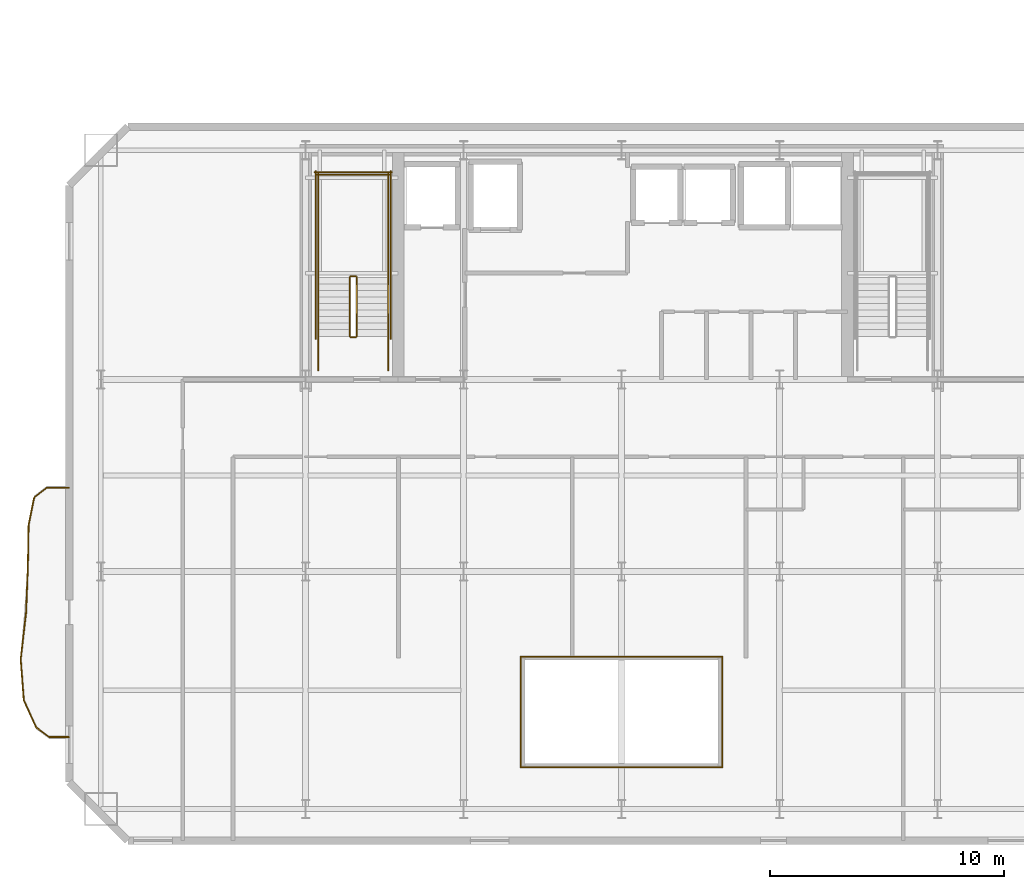
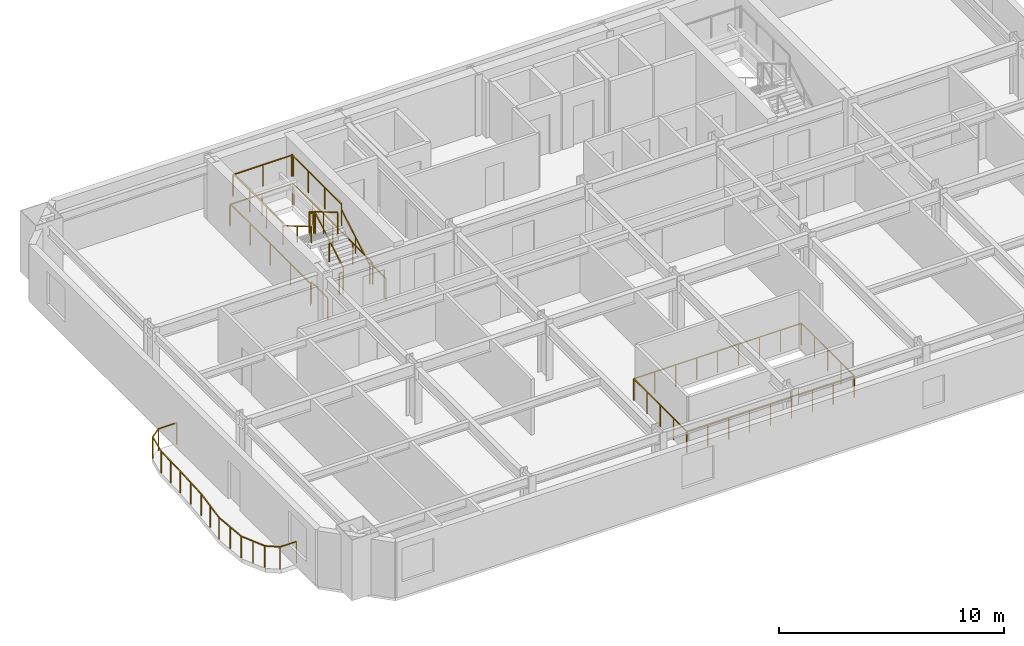
# One storey, part 10 of 13: 28 railings.
"""IFC4 building model written with IfcOpenShell, lengths in metres."""

from ifc_helpers import new_model, si_unit, direction, frame, origin, origin_2d, place, context, subcontext, project, spatial, rectangle, extrude, material, type_object, element, save


model = new_model("IFC4")

# Units and contexts
model_context = context("Model", 3, precision=1e-05, world=origin(), true_north=direction((0.0, 1.0)))
body_context = subcontext(model_context, "Body", "Model", "MODEL_VIEW")
ifc_project = project(units=[si_unit("LENGTHUNIT", "METRE"), si_unit("AREAUNIT", "SQUARE_METRE"), si_unit("VOLUMEUNIT", "CUBIC_METRE"), si_unit("PLANEANGLEUNIT", "RADIAN"), si_unit("MASSUNIT", "GRAM", prefix="KILO")], contexts=[model_context])

# Site, building, storey
site_placement = place(None, origin())
site = spatial("IfcSite", under=ifc_project, at=site_placement, CompositionType="ELEMENT")
building_placement = place(site_placement, origin())
building = spatial("IfcBuilding", under=site, at=building_placement, Name="Haevon Station Towers", CompositionType="ELEMENT")
storey_placement = place(building_placement, frame((0.0, 0.0, 96.60009765625)))
storey = spatial("IfcBuildingStorey", under=building, at=storey_placement, Name="L25", CompositionType="ELEMENT", Elevation=96.60009765625)

# Railings
ifc_material = material(Name="Steel S355", Category="steel")
railing_type_1 = type_object("IfcRailingType", Name="BAL-ATR1200", PredefinedType="BALUSTRADE", material=ifc_material)
railing_1_placement = place(storey_placement, frame((33.19482421875, 21.642333984375, 0.0)))
element("IfcRailing", 1, at=railing_1_placement, inside=storey, type_object=railing_type_1, Name="L25 Atrium Void Balustrade 1", PredefinedType="BALUSTRADE", context=body_context, shape_type="SweptSolid", body=[
    extrude(rectangle(XDim=0.048095703125, YDim=0.048095703125, at=origin_2d()), frame((0.0, 0.0, 1.17578125), z_axis=(1.0, 0.0, 0.0), x_axis=(0.0, 1.0, 0.0)), (0.0, 0.0, 1.0), 8.6103515625),
    extrude(rectangle(XDim=0.0419921875, YDim=0.0419921875, at=origin_2d()), origin(), (0.0, 0.0, 1.0), 1.15185546875),
    extrude(rectangle(XDim=0.0419921875, YDim=0.0419921875, at=origin_2d()), frame((1.076171875, 0.0, 0.0)), (0.0, 0.0, 1.0), 1.15185546875),
    extrude(rectangle(XDim=0.0419921875, YDim=0.0419921875, at=origin_2d()), frame((2.152587890625, 0.0, 0.0)), (0.0, 0.0, 1.0), 1.15185546875),
    extrude(rectangle(XDim=0.0419921875, YDim=0.0419921875, at=origin_2d()), frame((3.22900390625, 0.0, 0.0)), (0.0, 0.0, 1.0), 1.15185546875),
    extrude(rectangle(XDim=0.0419921875, YDim=0.0419921875, at=origin_2d()), frame((4.30517578125, 0.0, 0.0)), (0.0, 0.0, 1.0), 1.15185546875),
    extrude(rectangle(XDim=0.0419921875, YDim=0.0419921875, at=origin_2d()), frame((5.38134765625, 0.0, 0.0)), (0.0, 0.0, 1.0), 1.15185546875),
    extrude(rectangle(XDim=0.0419921875, YDim=0.0419921875, at=origin_2d()), frame((6.457763671875, 0.0, 0.0)), (0.0, 0.0, 1.0), 1.15185546875),
    extrude(rectangle(XDim=0.0419921875, YDim=0.0419921875, at=origin_2d()), frame((7.5341796875, 0.0, 0.0)), (0.0, 0.0, 1.0), 1.15185546875),
    extrude(rectangle(XDim=0.0419921875, YDim=0.0419921875, at=origin_2d()), frame((8.6103515625, 0.0, 0.0)), (0.0, 0.0, 1.0), 1.15185546875),
])
railing_2_placement = place(storey_placement, frame((41.80517578125, 21.642333984375, 0.0)))
element("IfcRailing", 2, at=railing_2_placement, inside=storey, type_object=railing_type_1, Name="L25 Atrium Void Balustrade 2", PredefinedType="BALUSTRADE", context=body_context, shape_type="SweptSolid", body=[
    extrude(rectangle(XDim=0.048095703125, YDim=0.048095703125, at=origin_2d()), frame((0.0, 0.0, 1.17578125), z_axis=(0.0, 1.0, 0.0), x_axis=(-1.0, 0.0, 0.0)), (0.0, 0.0, 1.0), 4.71533203125),
    extrude(rectangle(XDim=0.0419921875, YDim=0.0419921875, at=origin_2d()), origin(), (0.0, 0.0, 1.0), 1.15185546875),
    extrude(rectangle(XDim=0.0419921875, YDim=0.0419921875, at=origin_2d()), frame((0.0, 1.1787109375, 0.0)), (0.0, 0.0, 1.0), 1.15185546875),
    extrude(rectangle(XDim=0.0419921875, YDim=0.0419921875, at=origin_2d()), frame((0.0, 2.357666015625, 0.0)), (0.0, 0.0, 1.0), 1.15185546875),
    extrude(rectangle(XDim=0.0419921875, YDim=0.0419921875, at=origin_2d()), frame((0.0, 3.53662109375, 0.0)), (0.0, 0.0, 1.0), 1.15185546875),
    extrude(rectangle(XDim=0.0419921875, YDim=0.0419921875, at=origin_2d()), frame((0.0, 4.71533203125, 0.0)), (0.0, 0.0, 1.0), 1.15185546875),
])
railing_3_placement = place(storey_placement, frame((41.80517578125, 26.357666015625, 0.0)))
element("IfcRailing", 3, at=railing_3_placement, inside=storey, type_object=railing_type_1, Name="L25 Atrium Void Balustrade 3", PredefinedType="BALUSTRADE", context=body_context, shape_type="SweptSolid", body=[
    extrude(rectangle(XDim=0.048095703125, YDim=0.048095703125, at=origin_2d()), frame((0.0, 0.0, 1.17578125), z_axis=(-1.0, 0.0, 0.0), x_axis=(0.0, -1.0, 0.0)), (0.0, 0.0, 1.0), 8.6103515625),
    extrude(rectangle(XDim=0.0419921875, YDim=0.0419921875, at=origin_2d()), origin(), (0.0, 0.0, 1.0), 1.15185546875),
    extrude(rectangle(XDim=0.0419921875, YDim=0.0419921875, at=origin_2d()), frame((-1.076171875, 0.0, 0.0)), (0.0, 0.0, 1.0), 1.15185546875),
    extrude(rectangle(XDim=0.0419921875, YDim=0.0419921875, at=origin_2d()), frame((-2.152587890625, 0.0, 0.0)), (0.0, 0.0, 1.0), 1.15185546875),
    extrude(rectangle(XDim=0.0419921875, YDim=0.0419921875, at=origin_2d()), frame((-3.22900390625, 0.0, 0.0)), (0.0, 0.0, 1.0), 1.15185546875),
    extrude(rectangle(XDim=0.0419921875, YDim=0.0419921875, at=origin_2d()), frame((-4.30517578125, 0.0, 0.0)), (0.0, 0.0, 1.0), 1.15185546875),
    extrude(rectangle(XDim=0.0419921875, YDim=0.0419921875, at=origin_2d()), frame((-5.38134765625, 0.0, 0.0)), (0.0, 0.0, 1.0), 1.15185546875),
    extrude(rectangle(XDim=0.0419921875, YDim=0.0419921875, at=origin_2d()), frame((-6.457763671875, 0.0, 0.0)), (0.0, 0.0, 1.0), 1.15185546875),
    extrude(rectangle(XDim=0.0419921875, YDim=0.0419921875, at=origin_2d()), frame((-7.5341796875, 0.0, 0.0)), (0.0, 0.0, 1.0), 1.15185546875),
    extrude(rectangle(XDim=0.0419921875, YDim=0.0419921875, at=origin_2d()), frame((-8.6103515625, 0.0, 0.0)), (0.0, 0.0, 1.0), 1.15185546875),
])
railing_4_placement = place(storey_placement, frame((33.19482421875, 26.357666015625, 0.0)))
element("IfcRailing", 4, at=railing_4_placement, inside=storey, type_object=railing_type_1, Name="L25 Atrium Void Balustrade 4", PredefinedType="BALUSTRADE", context=body_context, shape_type="SweptSolid", body=[
    extrude(rectangle(XDim=0.048095703125, YDim=0.048095703125, at=origin_2d()), frame((0.0, 0.0, 1.17578125), z_axis=(0.0, -1.0, 0.0), x_axis=(1.0, 0.0, 0.0)), (0.0, 0.0, 1.0), 4.71533203125),
    extrude(rectangle(XDim=0.0419921875, YDim=0.0419921875, at=origin_2d()), origin(), (0.0, 0.0, 1.0), 1.15185546875),
    extrude(rectangle(XDim=0.0419921875, YDim=0.0419921875, at=origin_2d()), frame((0.0, -1.1787109375, 0.0)), (0.0, 0.0, 1.0), 1.15185546875),
    extrude(rectangle(XDim=0.0419921875, YDim=0.0419921875, at=origin_2d()), frame((0.0, -2.357666015625, 0.0)), (0.0, 0.0, 1.0), 1.15185546875),
    extrude(rectangle(XDim=0.0419921875, YDim=0.0419921875, at=origin_2d()), frame((0.0, -3.53662109375, 0.0)), (0.0, 0.0, 1.0), 1.15185546875),
    extrude(rectangle(XDim=0.0419921875, YDim=0.0419921875, at=origin_2d()), frame((0.0, -4.71533203125, 0.0)), (0.0, 0.0, 1.0), 1.15185546875),
])
railing_type_2 = type_object("IfcRailingType", Name="GRD-EXT1200", PredefinedType="GUARDRAIL", material=ifc_material)
railing_5_placement = place(storey_placement, frame((13.87646484375, 33.572265625, 0.0)))
element("IfcRailing", 5, at=railing_5_placement, inside=storey, type_object=railing_type_2, Name="L25 Perimeter Guardrail 1", PredefinedType="GUARDRAIL", context=body_context, shape_type="SweptSolid", body=[
    extrude(rectangle(XDim=0.048095703125, YDim=0.048095703125, at=origin_2d()), frame((0.0, 0.0, 1.17578125), z_axis=(-0.999997290248, -0.002327981276, 0.0), x_axis=(0.002327981276, -0.999997290248, 0.0)), (0.0, 0.0, 1.0), 0.94384765625),
    extrude(rectangle(XDim=0.0419921875, YDim=0.0419921875, at=origin_2d()), origin(), (0.0, 0.0, 1.0), 1.15185546875),
    extrude(rectangle(XDim=0.0419921875, YDim=0.0419921875, at=origin_2d()), frame((-0.94384765625, -0.002197265625, 0.0)), (0.0, 0.0, 1.0), 1.15185546875),
])
railing_6_placement = place(storey_placement, frame((12.9326171875, 33.570068359375, 0.0)))
element("IfcRailing", 6, at=railing_6_placement, inside=storey, type_object=railing_type_2, Name="L25 Perimeter Guardrail 2", PredefinedType="GUARDRAIL", context=body_context, shape_type="SweptSolid", body=[
    extrude(rectangle(XDim=0.048095703125, YDim=0.048095703125, at=origin_2d()), frame((0.0, 0.0, 1.17578125), z_axis=(-0.79178726734, -0.61079695749, 0.0), x_axis=(0.61079695749, -0.79178726734, 0.0)), (0.0, 0.0, 1.0), 0.673095703125),
    extrude(rectangle(XDim=0.0419921875, YDim=0.0419921875, at=origin_2d()), origin(), (0.0, 0.0, 1.0), 1.15185546875),
    extrude(rectangle(XDim=0.0419921875, YDim=0.0419921875, at=origin_2d()), frame((-0.532958984375, -0.4111328125, 0.0)), (0.0, 0.0, 1.0), 1.15185546875),
])
railing_7_placement = place(storey_placement, frame((12.399658203125, 33.158935546875, 0.0)))
element("IfcRailing", 7, at=railing_7_placement, inside=storey, type_object=railing_type_2, Name="L25 Perimeter Guardrail 3", PredefinedType="GUARDRAIL", context=body_context, shape_type="SweptSolid", body=[
    extrude(rectangle(XDim=0.048095703125, YDim=0.048095703125, at=origin_2d()), frame((0.0, 0.0, 1.17578125), z_axis=(-0.199771721582, -0.979842466551, 0.0), x_axis=(0.979842466551, -0.199771721582, 0.0)), (0.0, 0.0, 1.0), 1.194091796875),
    extrude(rectangle(XDim=0.0419921875, YDim=0.0419921875, at=origin_2d()), origin(), (0.0, 0.0, 1.0), 1.15185546875),
    extrude(rectangle(XDim=0.0419921875, YDim=0.0419921875, at=origin_2d()), frame((-0.238525390625, -1.169921875, 0.0)), (0.0, 0.0, 1.0), 1.15185546875),
])
railing_8_placement = place(storey_placement, frame((12.1611328125, 31.989013671875, 0.0)))
element("IfcRailing", 8, at=railing_8_placement, inside=storey, type_object=railing_type_2, Name="L25 Perimeter Guardrail 4", PredefinedType="GUARDRAIL", context=body_context, shape_type="SweptSolid", body=[
    extrude(rectangle(XDim=0.048095703125, YDim=0.048095703125, at=origin_2d()), frame((0.0, 0.0, 1.17578125), z_axis=(-0.017572959065, -0.999845583633, 0.0), x_axis=(0.999845583633, -0.017572959065, 0.0)), (0.0, 0.0, 1.0), 1.75048828125),
    extrude(rectangle(XDim=0.0419921875, YDim=0.0419921875, at=origin_2d()), origin(), (0.0, 0.0, 1.0), 1.15185546875),
    extrude(rectangle(XDim=0.0419921875, YDim=0.0419921875, at=origin_2d()), frame((-0.015380859375, -0.875, 0.0)), (0.0, 0.0, 1.0), 1.15185546875),
    extrude(rectangle(XDim=0.0419921875, YDim=0.0419921875, at=origin_2d()), frame((-0.03076171875, -1.750244140625, 0.0)), (0.0, 0.0, 1.0), 1.15185546875),
])
railing_9_placement = place(storey_placement, frame((12.13037109375, 30.23876953125, 0.0)))
element("IfcRailing", 9, at=railing_9_placement, inside=storey, type_object=railing_type_2, Name="L25 Perimeter Guardrail 5", PredefinedType="GUARDRAIL", context=body_context, shape_type="SweptSolid", body=[
    extrude(rectangle(XDim=0.048095703125, YDim=0.048095703125, at=origin_2d()), frame((0.0, 0.0, 1.17578125), z_axis=(-0.038150453475, -0.999272006463, 0.0), x_axis=(0.999272006463, -0.038150453475, 0.0)), (0.0, 0.0, 1.0), 1.990234375),
    extrude(rectangle(XDim=0.0419921875, YDim=0.0419921875, at=origin_2d()), origin(), (0.0, 0.0, 1.0), 1.15185546875),
    extrude(rectangle(XDim=0.0419921875, YDim=0.0419921875, at=origin_2d()), frame((-0.0380859375, -0.994384765625, 0.0)), (0.0, 0.0, 1.0), 1.15185546875),
    extrude(rectangle(XDim=0.0419921875, YDim=0.0419921875, at=origin_2d()), frame((-0.075927734375, -1.98876953125, 0.0)), (0.0, 0.0, 1.0), 1.15185546875),
])
railing_10_placement = place(storey_placement, frame((12.054443359375, 28.25, 0.0)))
element("IfcRailing", 10, at=railing_10_placement, inside=storey, type_object=railing_type_2, Name="L25 Perimeter Guardrail 6", PredefinedType="GUARDRAIL", context=body_context, shape_type="SweptSolid", body=[
    extrude(rectangle(XDim=0.048095703125, YDim=0.048095703125, at=origin_2d()), frame((0.0, 0.0, 1.17578125), z_axis=(-0.114933725314, -0.993373161901, 0.0), x_axis=(0.993373161901, -0.114933725314, 0.0)), (0.0, 0.0, 1.0), 2.005126953125),
    extrude(rectangle(XDim=0.0419921875, YDim=0.0419921875, at=origin_2d()), origin(), (0.0, 0.0, 1.0), 1.15185546875),
    extrude(rectangle(XDim=0.0419921875, YDim=0.0419921875, at=origin_2d()), frame((-0.115234375, -0.99609375, 0.0)), (0.0, 0.0, 1.0), 1.15185546875),
    extrude(rectangle(XDim=0.0419921875, YDim=0.0419921875, at=origin_2d()), frame((-0.23046875, -1.991943359375, 0.0)), (0.0, 0.0, 1.0), 1.15185546875),
])
railing_11_placement = place(storey_placement, frame((11.823974609375, 26.258056640625, 0.0)))
element("IfcRailing", 11, at=railing_11_placement, inside=storey, type_object=railing_type_2, Name="L25 Perimeter Guardrail 7", PredefinedType="GUARDRAIL", context=body_context, shape_type="SweptSolid", body=[
    extrude(rectangle(XDim=0.048095703125, YDim=0.048095703125, at=origin_2d()), frame((0.0, 0.0, 1.17578125), z_axis=(0.074672193364, -0.997208134513, 0.0), x_axis=(0.997208134513, 0.074672193364, 0.0)), (0.0, 0.0, 1.0), 1.75244140625),
    extrude(rectangle(XDim=0.0419921875, YDim=0.0419921875, at=origin_2d()), origin(), (0.0, 0.0, 1.0), 1.15185546875),
    extrude(rectangle(XDim=0.0419921875, YDim=0.0419921875, at=origin_2d()), frame((0.0654296875, -0.873779296875, 0.0)), (0.0, 0.0, 1.0), 1.15185546875),
    extrude(rectangle(XDim=0.0419921875, YDim=0.0419921875, at=origin_2d()), frame((0.130859375, -1.74755859375, 0.0)), (0.0, 0.0, 1.0), 1.15185546875),
])
railing_12_placement = place(storey_placement, frame((11.954833984375, 24.510498046875, 0.0)))
element("IfcRailing", 12, at=railing_12_placement, inside=storey, type_object=railing_type_2, Name="L25 Perimeter Guardrail 8", PredefinedType="GUARDRAIL", context=body_context, shape_type="SweptSolid", body=[
    extrude(rectangle(XDim=0.048095703125, YDim=0.048095703125, at=origin_2d()), frame((0.0, 0.0, 1.17578125), z_axis=(0.413759985139, -0.910386003131, 0.0), x_axis=(0.910386003131, 0.413759985139, 0.0)), (0.0, 0.0, 1.0), 1.28466796875),
    extrude(rectangle(XDim=0.0419921875, YDim=0.0419921875, at=origin_2d()), origin(), (0.0, 0.0, 1.0), 1.15185546875),
    extrude(rectangle(XDim=0.0419921875, YDim=0.0419921875, at=origin_2d()), frame((0.265625, -0.584716796875, 0.0)), (0.0, 0.0, 1.0), 1.15185546875),
    extrude(rectangle(XDim=0.0419921875, YDim=0.0419921875, at=origin_2d()), frame((0.531494140625, -1.16943359375, 0.0)), (0.0, 0.0, 1.0), 1.15185546875),
])
railing_13_placement = place(storey_placement, frame((12.486328125, 23.341064453125, 0.0)))
element("IfcRailing", 13, at=railing_13_placement, inside=storey, type_object=railing_type_2, Name="L25 Perimeter Guardrail 9", PredefinedType="GUARDRAIL", context=body_context, shape_type="SweptSolid", body=[
    extrude(rectangle(XDim=0.048095703125, YDim=0.048095703125, at=origin_2d()), frame((0.0, 0.0, 1.17578125), z_axis=(0.801952764523, -0.597387448374, 0.0), x_axis=(0.597387448374, 0.801952764523, 0.0)), (0.0, 0.0, 1.0), 0.688720703125),
    extrude(rectangle(XDim=0.0419921875, YDim=0.0419921875, at=origin_2d()), origin(), (0.0, 0.0, 1.0), 1.15185546875),
    extrude(rectangle(XDim=0.0419921875, YDim=0.0419921875, at=origin_2d()), frame((0.55224609375, -0.411376953125, 0.0)), (0.0, 0.0, 1.0), 1.15185546875),
])
railing_14_placement = place(storey_placement, frame((13.03857421875, 22.9296875, 0.0)))
element("IfcRailing", 14, at=railing_14_placement, inside=storey, type_object=railing_type_2, Name="L25 Perimeter Guardrail 10", PredefinedType="GUARDRAIL", context=body_context, shape_type="SweptSolid", body=[
    extrude(rectangle(XDim=0.048095703125, YDim=0.048095703125, at=origin_2d()), frame((0.0, 0.0, 1.17578125), z_axis=(0.999997283225, -0.002330995998, 0.0), x_axis=(0.002330995998, 0.999997283225, 0.0)), (0.0, 0.0, 1.0), 0.837890625),
    extrude(rectangle(XDim=0.0419921875, YDim=0.0419921875, at=origin_2d()), origin(), (0.0, 0.0, 1.0), 1.15185546875),
    extrude(rectangle(XDim=0.0419921875, YDim=0.0419921875, at=origin_2d()), frame((0.837890625, -0.001953125, 0.0)), (0.0, 0.0, 1.0), 1.15185546875),
])
railing_type_3 = type_object("IfcRailingType", Name="GRD-STR1200", PredefinedType="GUARDRAIL", material=ifc_material)
railing_15_placement = place(storey_placement, frame((26.179931640625, 40.050048828125, 0.164794921875)))
element("IfcRailing", 15, at=railing_15_placement, inside=storey, type_object=railing_type_3, Name="L25 ST1 Stair Guard 1", PredefinedType="GUARDRAIL", context=body_context, shape_type="SweptSolid", body=[
    extrude(rectangle(XDim=0.048095703125, YDim=0.048095703125, at=origin_2d()), frame((0.0, 0.0, 1.17578125), z_axis=(0.0, 0.86152411907, 0.507716645641), x_axis=(-1.0, 0.0, 0.0)), (0.0, 0.0, 1.0), 2.925048828125),
    extrude(rectangle(XDim=0.0419921875, YDim=0.0419921875, at=origin_2d()), origin(), (0.0, 0.0, 1.0), 1.15185546875),
    extrude(rectangle(XDim=0.0419921875, YDim=0.0419921875, at=origin_2d()), frame((0.0, 1.260009765625, 0.74267578125)), (0.0, 0.0, 1.0), 1.15185546875),
    extrude(rectangle(XDim=0.0419921875, YDim=0.0419921875, at=origin_2d()), frame((0.0, 2.52001953125, 1.485107421875)), (0.0, 0.0, 1.0), 1.15185546875),
])
railing_16_placement = place(storey_placement, frame((26.1298828125, 42.6201171875, 1.64990234375)))
element("IfcRailing", 16, at=railing_16_placement, inside=storey, type_object=railing_type_3, Name="L25 ST1 Stair Guard 2", PredefinedType="GUARDRAIL", context=body_context, shape_type="SweptSolid", body=[
    extrude(rectangle(XDim=0.048095703125, YDim=0.048095703125, at=origin_2d()), frame((0.0, 0.0, 1.17578125), z_axis=(-1.0, 0.0, 0.0), x_axis=(0.0, -1.0, 0.0)), (0.0, 0.0, 1.0), 0.199951171875),
    extrude(rectangle(XDim=0.0419921875, YDim=0.0419921875, at=origin_2d()), origin(), (0.0, 0.0, 1.0), 1.15185546875),
    extrude(rectangle(XDim=0.0419921875, YDim=0.0419921875, at=origin_2d()), frame((-0.199951171875, 0.0, 0.0)), (0.0, 0.0, 1.0), 1.15185546875),
])
for number, where, name in (
    (17, (27.530029296875, 42.570068359375, 1.64990234375), "L25 ST1 Stair Guard 3"),
    (18, (24.530029296875, 42.570068359375, 1.64990234375), "L25 ST1 Stair Guard 4"),
):
    element("IfcRailing", number, at=place(storey_placement, frame(where)), inside=storey, type_object=railing_type_3, Name=name, PredefinedType="GUARDRAIL", context=body_context, shape_type="SweptSolid", body=[
        extrude(rectangle(XDim=0.048095703125, YDim=0.048095703125, at=origin_2d()), frame((0.0, 0.0, 1.17578125), z_axis=(0.0, 1.0, 0.0), x_axis=(-1.0, 0.0, 0.0)), (0.0, 0.0, 1.0), 4.429931640625),
        extrude(rectangle(XDim=0.0419921875, YDim=0.0419921875, at=origin_2d()), origin(), (0.0, 0.0, 1.0), 1.15185546875),
        extrude(rectangle(XDim=0.0419921875, YDim=0.0419921875, at=origin_2d()), frame((0.0, 1.4765625, 0.0)), (0.0, 0.0, 1.0), 1.15185546875),
        extrude(rectangle(XDim=0.0419921875, YDim=0.0419921875, at=origin_2d()), frame((0.0, 2.953369140625, 0.0)), (0.0, 0.0, 1.0), 1.15185546875),
        extrude(rectangle(XDim=0.0419921875, YDim=0.0419921875, at=origin_2d()), frame((0.0, 4.429931640625, 0.0)), (0.0, 0.0, 1.0), 1.15185546875),
    ])
railing_17_placement = place(storey_placement, frame((27.580078125, 46.949951171875, 1.64990234375)))
element("IfcRailing", 19, at=railing_17_placement, inside=storey, type_object=railing_type_3, Name="L25 ST1 Stair Guard 5", PredefinedType="GUARDRAIL", context=body_context, shape_type="SweptSolid", body=[
    extrude(rectangle(XDim=0.048095703125, YDim=0.048095703125, at=origin_2d()), frame((0.0, 0.0, 1.17578125), z_axis=(-1.0, 0.0, 0.0), x_axis=(0.0, -1.0, 0.0)), (0.0, 0.0, 1.0), 3.10009765625),
    extrude(rectangle(XDim=0.0419921875, YDim=0.0419921875, at=origin_2d()), origin(), (0.0, 0.0, 1.0), 1.15185546875),
    extrude(rectangle(XDim=0.0419921875, YDim=0.0419921875, at=origin_2d()), frame((-1.550048828125, 0.0, 0.0)), (0.0, 0.0, 1.0), 1.15185546875),
    extrude(rectangle(XDim=0.0419921875, YDim=0.0419921875, at=origin_2d()), frame((-3.10009765625, 0.0, 0.0)), (0.0, 0.0, 1.0), 1.15185546875),
])
railing_18_placement = place(storey_placement, frame((25.8798828125, 42.570068359375, 1.81494140625)))
element("IfcRailing", 20, at=railing_18_placement, inside=storey, type_object=railing_type_3, Name="L25 ST1 Stair Guard 6", PredefinedType="GUARDRAIL", context=body_context, shape_type="SweptSolid", body=[
    extrude(rectangle(XDim=0.048095703125, YDim=0.048095703125, at=origin_2d()), frame((0.0, 0.0, 1.17578125), z_axis=(0.0, -0.861560626758, 0.507654692109), x_axis=(1.0, 0.0, 0.0)), (0.0, 0.0, 1.0), 2.925048828125),
    extrude(rectangle(XDim=0.0419921875, YDim=0.0419921875, at=origin_2d()), origin(), (0.0, 0.0, 1.0), 1.15185546875),
    extrude(rectangle(XDim=0.0419921875, YDim=0.0419921875, at=origin_2d()), frame((0.0, -1.260009765625, 0.742431640625)), (0.0, 0.0, 1.0), 1.15185546875),
    extrude(rectangle(XDim=0.0419921875, YDim=0.0419921875, at=origin_2d()), frame((0.0, -2.52001953125, 1.48486328125)), (0.0, 0.0, 1.0), 1.15185546875),
])
railing_19_placement = place(storey_placement, frame((26.1298828125, 40.0, 0.0)))
element("IfcRailing", 21, at=railing_19_placement, inside=storey, type_object=railing_type_3, Name="L25 ST1 Stair Guard 7", PredefinedType="GUARDRAIL", context=body_context, shape_type="SweptSolid", body=[
    extrude(rectangle(XDim=0.048095703125, YDim=0.048095703125, at=origin_2d()), frame((0.0, 0.0, 1.17578125), z_axis=(-1.0, 0.0, 0.0), x_axis=(0.0, -1.0, 0.0)), (0.0, 0.0, 1.0), 0.199951171875),
    extrude(rectangle(XDim=0.0419921875, YDim=0.0419921875, at=origin_2d()), origin(), (0.0, 0.0, 1.0), 1.15185546875),
    extrude(rectangle(XDim=0.0419921875, YDim=0.0419921875, at=origin_2d()), frame((-0.199951171875, 0.0, 0.0)), (0.0, 0.0, 1.0), 1.15185546875),
])
for number, where, name in (
    (22, (27.530029296875, 38.60009765625, 0.0), "L25 ST1 Stair Guard 8"),
    (23, (24.530029296875, 38.60009765625, 0.0), "L25 ST1 Stair Guard 9"),
):
    element("IfcRailing", number, at=place(storey_placement, frame(where)), inside=storey, type_object=railing_type_3, Name=name, PredefinedType="GUARDRAIL", context=body_context, shape_type="SweptSolid", body=[
        extrude(rectangle(XDim=0.048095703125, YDim=0.048095703125, at=origin_2d()), frame((0.0, 0.0, 1.17578125), z_axis=(0.0, 1.0, 0.0), x_axis=(-1.0, 0.0, 0.0)), (0.0, 0.0, 1.0), 1.449951171875),
        extrude(rectangle(XDim=0.0419921875, YDim=0.0419921875, at=origin_2d()), origin(), (0.0, 0.0, 1.0), 1.15185546875),
        extrude(rectangle(XDim=0.0419921875, YDim=0.0419921875, at=origin_2d()), frame((0.0, 1.449951171875, 0.0)), (0.0, 0.0, 1.0), 1.15185546875),
    ])
for number, where, name in (
    (24, (27.6298828125, 39.949951171875, 0.0), "L25 ST1 Stair Guard 10"),
    (25, (24.429931640625, 39.949951171875, 0.0), "L25 ST1 Stair Guard 11"),
):
    element("IfcRailing", number, at=place(storey_placement, frame(where)), inside=storey, type_object=railing_type_3, Name=name, PredefinedType="GUARDRAIL", context=body_context, shape_type="SweptSolid", body=[
        extrude(rectangle(XDim=0.048095703125, YDim=0.048095703125, at=origin_2d()), frame((0.0, 0.0, 1.17578125), z_axis=(0.0, 1.0, 0.0), x_axis=(-1.0, 0.0, 0.0)), (0.0, 0.0, 1.0), 7.150146484375),
        extrude(rectangle(XDim=0.0419921875, YDim=0.0419921875, at=origin_2d()), origin(), (0.0, 0.0, 1.0), 1.15185546875),
        extrude(rectangle(XDim=0.0419921875, YDim=0.0419921875, at=origin_2d()), frame((0.0, 1.78759765625, 0.0)), (0.0, 0.0, 1.0), 1.15185546875),
        extrude(rectangle(XDim=0.0419921875, YDim=0.0419921875, at=origin_2d()), frame((0.0, 3.5751953125, 0.0)), (0.0, 0.0, 1.0), 1.15185546875),
        extrude(rectangle(XDim=0.0419921875, YDim=0.0419921875, at=origin_2d()), frame((0.0, 5.362548828125, 0.0)), (0.0, 0.0, 1.0), 1.15185546875),
        extrude(rectangle(XDim=0.0419921875, YDim=0.0419921875, at=origin_2d()), frame((0.0, 7.150146484375, 0.0)), (0.0, 0.0, 1.0), 1.15185546875),
    ])
railing_20_placement = place(storey_placement, frame((27.679931640625, 47.050048828125, 0.0)))
element("IfcRailing", 26, at=railing_20_placement, inside=storey, type_object=railing_type_3, Name="L25 ST1 Stair Guard 12", PredefinedType="GUARDRAIL", context=body_context, shape_type="SweptSolid", body=[
    extrude(rectangle(XDim=0.048095703125, YDim=0.048095703125, at=origin_2d()), frame((0.0, 0.0, 1.17578125), z_axis=(-1.0, 0.0, 0.0), x_axis=(0.0, -1.0, 0.0)), (0.0, 0.0, 1.0), 3.300048828125),
    extrude(rectangle(XDim=0.0419921875, YDim=0.0419921875, at=origin_2d()), origin(), (0.0, 0.0, 1.0), 1.15185546875),
    extrude(rectangle(XDim=0.0419921875, YDim=0.0419921875, at=origin_2d()), frame((-1.64990234375, 0.0, 0.0)), (0.0, 0.0, 1.0), 1.15185546875),
    extrude(rectangle(XDim=0.0419921875, YDim=0.0419921875, at=origin_2d()), frame((-3.300048828125, 0.0, 0.0)), (0.0, 0.0, 1.0), 1.15185546875),
])
railing_type_4 = type_object("IfcRailingType", Name="HND-STR900", PredefinedType="HANDRAIL", material=ifc_material)
railing_21_placement = place(storey_placement, frame((27.530029296875, 40.050048828125, 0.164794921875)))
element("IfcRailing", 27, at=railing_21_placement, inside=storey, type_object=railing_type_4, Name="L25 ST1 Stair Handrail 1", PredefinedType="HANDRAIL", context=body_context, shape_type="SweptSolid", body=[
    extrude(rectangle(XDim=0.048095703125, YDim=0.048095703125, at=origin_2d()), frame((0.0, 0.0, 0.8759765625), z_axis=(0.0, 0.86152411907, 0.507716645641), x_axis=(-1.0, 0.0, 0.0)), (0.0, 0.0, 1.0), 2.925048828125),
    extrude(rectangle(XDim=0.0419921875, YDim=0.0419921875, at=origin_2d()), origin(), (0.0, 0.0, 1.0), 0.851806640625),
    extrude(rectangle(XDim=0.0419921875, YDim=0.0419921875, at=origin_2d()), frame((0.0, 1.260009765625, 0.74267578125)), (0.0, 0.0, 1.0), 0.851806640625),
    extrude(rectangle(XDim=0.0419921875, YDim=0.0419921875, at=origin_2d()), frame((0.0, 2.52001953125, 1.485107421875)), (0.0, 0.0, 1.0), 0.851806640625),
])
railing_22_placement = place(storey_placement, frame((24.530029296875, 42.570068359375, 1.81494140625)))
element("IfcRailing", 28, at=railing_22_placement, inside=storey, type_object=railing_type_4, Name="L25 ST1 Stair Handrail 2", PredefinedType="HANDRAIL", context=body_context, shape_type="SweptSolid", body=[
    extrude(rectangle(XDim=0.048095703125, YDim=0.048095703125, at=origin_2d()), frame((0.0, 0.0, 0.8759765625), z_axis=(0.0, -0.861560626758, 0.507654692109), x_axis=(1.0, 0.0, 0.0)), (0.0, 0.0, 1.0), 2.925048828125),
    extrude(rectangle(XDim=0.0419921875, YDim=0.0419921875, at=origin_2d()), origin(), (0.0, 0.0, 1.0), 0.851806640625),
    extrude(rectangle(XDim=0.0419921875, YDim=0.0419921875, at=origin_2d()), frame((0.0, -1.260009765625, 0.742431640625)), (0.0, 0.0, 1.0), 0.851806640625),
    extrude(rectangle(XDim=0.0419921875, YDim=0.0419921875, at=origin_2d()), frame((0.0, -2.52001953125, 1.48486328125)), (0.0, 0.0, 1.0), 0.851806640625),
])

save(model, "model.ifc")
